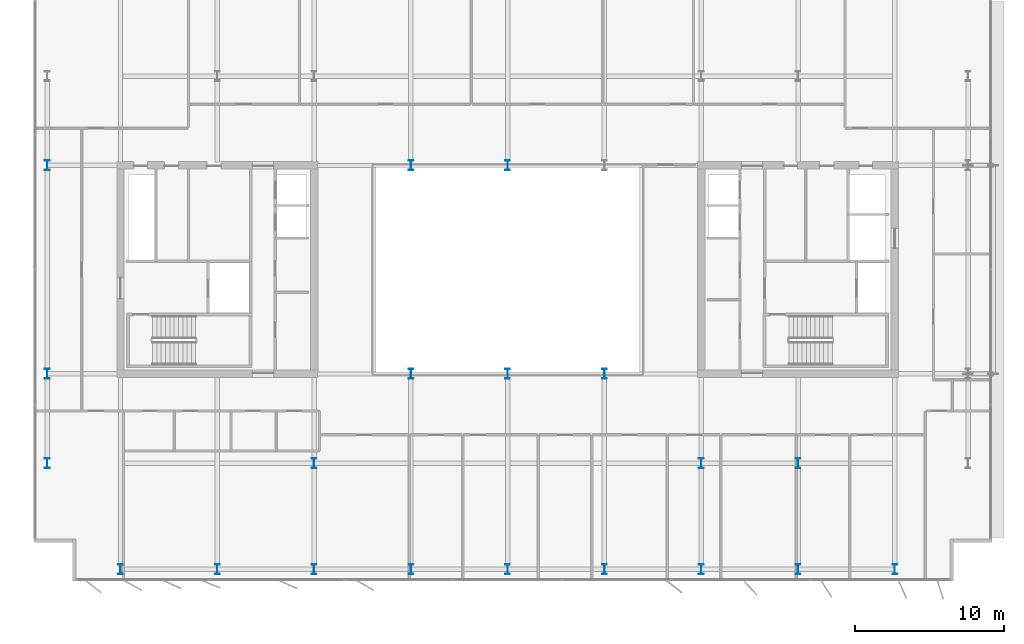
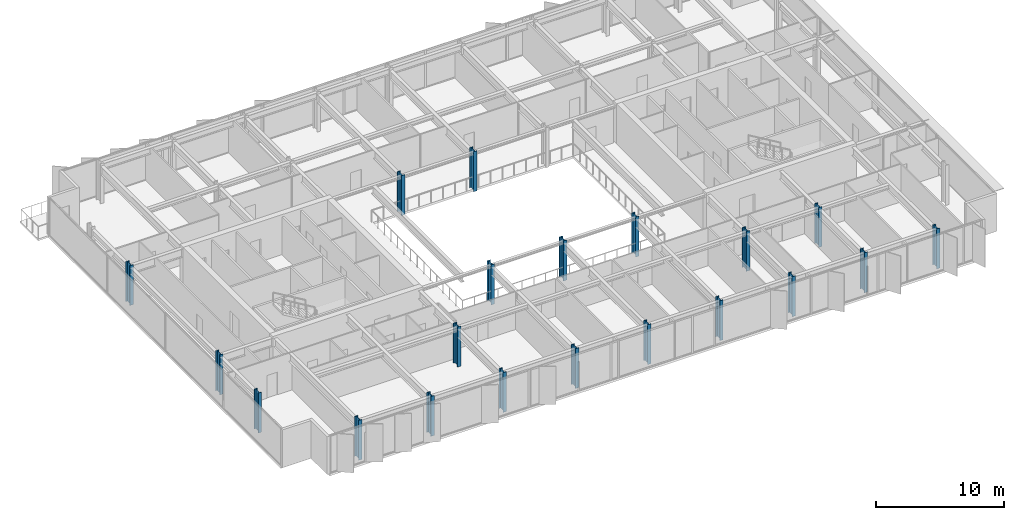
# One storey, part 1 of 20: 20 columns.
"""IFC4 building model written with IfcOpenShell, lengths in metres."""

from ifc_helpers import new_model, si_unit, direction, frame, origin, origin_2d, place, context, subcontext, project, spatial, i_section, extrude, material, material_profile, profile_set, type_object, element, save


model = new_model("IFC4")

# Units and contexts
model_context = context("Model", 3, precision=1e-05, world=origin(), true_north=direction((0.0, 1.0)))
body_context = subcontext(model_context, "Body", "Model", "MODEL_VIEW")
ifc_project = project(units=[si_unit("LENGTHUNIT", "METRE"), si_unit("AREAUNIT", "SQUARE_METRE"), si_unit("VOLUMEUNIT", "CUBIC_METRE"), si_unit("PLANEANGLEUNIT", "RADIAN"), si_unit("MASSUNIT", "GRAM", prefix="KILO")], contexts=[model_context])

# Site, building, storey
site_placement = place(None, origin())
site = spatial("IfcSite", under=ifc_project, at=site_placement, CompositionType="ELEMENT")
building_placement = place(site_placement, origin())
building = spatial("IfcBuilding", under=site, at=building_placement, Name="Putna Gate Headquarters", CompositionType="ELEMENT")
storey_placement = place(building_placement, frame((0.0, 0.0, 270.800048828125)))
storey = spatial("IfcBuildingStorey", under=building, at=storey_placement, Name="L68", CompositionType="ELEMENT", Elevation=270.800048828125)

# Columns
ifc_material = material(Name="Steel S460M", Category="steel")
ifc_material_profile_1 = material_profile(ifc_material, i_section(OverallWidth=0.304931640625, OverallDepth=0.66796875, WebThickness=0.02099609375, FlangeThickness=0.0400390625, at=origin_2d()), Name="Steel S460M")
ifc_profile_set_1 = profile_set([ifc_material_profile_1], Name="Steel S460M")
column_type_1 = type_object("IfcColumnType", Name="COL-STL-HEM650-EXT", PredefinedType="COLUMN", material=ifc_profile_set_1)
for number, where, z_axis, x_axis, name in (
    (1, (13.0, 5.8798828125, 0.0), (0.0, 0.0, 1.0), (1.0, 0.0, 0.0), "L68 Column CP-S13"),
    (2, (19.5, 5.8798828125, 0.0), (0.0, 0.0, 1.0), (1.0, 0.0, 0.0), "L68 Column CP-S19"),
    (3, (26.0, 5.8798828125, 0.0), (0.0, 0.0, 1.0), (1.0, 0.0, 0.0), "L68 Column CP-S26"),
    (4, (32.5, 5.8798828125, 0.0), (0.0, 0.0, 1.0), (1.0, 0.0, 0.0), "L68 Column CP-S32"),
    (5, (39.0, 5.8798828125, 0.0), (0.0, 0.0, 1.0), (1.0, 0.0, 0.0), "L68 Column CP-S39"),
    (6, (45.5, 5.8798828125, 0.0), (0.0, 0.0, 1.0), (1.0, 0.0, 0.0), "L68 Column CP-S45"),
    (7, (52.0, 5.8798828125, 0.0), (0.0, 0.0, 1.0), (1.0, 0.0, 0.0), "L68 Column CP-S52"),
    (8, (58.5, 5.8798828125, 0.0), (0.0, 0.0, 1.0), (1.0, 0.0, 0.0), "L68 Column CP-S58"),
    (9, (65.0, 5.8798828125, 0.0), (0.0, 0.0, 1.0), (1.0, 0.0, 0.0), "L68 Column CP-S65"),
    (10, (8.080078125, 13.0, 0.0), (0.0, 0.0, 1.0), (1.0, 0.0, 0.0), "L68 Column CP-W13"),
    (11, (8.080078125, 19.0, 0.0), (0.0, 0.0, 1.0), (1.0, 0.0, 0.0), "L68 Column CP-W19"),
    (12, (8.080078125, 33.0, 0.0), (0.0, 0.0, 1.0), (1.0, 0.0, 0.0), "L68 Column CP-W33"),
):
    element("IfcColumn", number, at=place(storey_placement, frame(where, z_axis=z_axis, x_axis=x_axis)), inside=storey, type_object=column_type_1, Name=name, PredefinedType="COLUMN", context=body_context, shape_type="SweptSolid", body=[
        extrude(i_section(OverallWidth=0.304931640625, OverallDepth=0.66796875, WebThickness=0.02099609375, FlangeThickness=0.0400390625, at=origin_2d()), origin(), (0.0, 0.0, 1.0), 3.800048828125),
    ])
ifc_material_profile_2 = material_profile(ifc_material, i_section(OverallWidth=0.304931640625, OverallDepth=0.66796875, WebThickness=0.02099609375, FlangeThickness=0.0400390625, at=origin_2d()), Name="Steel S460M")
ifc_profile_set_2 = profile_set([ifc_material_profile_2], Name="Steel S460M")
column_type_2 = type_object("IfcColumnType", Name="COL-STL-HEM650-INT", PredefinedType="COLUMN", material=ifc_profile_set_2)
for number, where, z_axis, x_axis, name in (
    (13, (58.5, 13.0, 0.0), (0.0, 0.0, 1.0), (1.0, 0.0, 0.0), "L68 Column CSI-ES"),
    (14, (32.5, 19.0, 0.0), (0.0, 0.0, 1.0), (1.0, 0.0, 0.0), "L68 Column CAI-S32"),
    (15, (32.5, 33.0, 0.0), (0.0, 0.0, 1.0), (1.0, 0.0, 0.0), "L68 Column CAI-N32"),
    (16, (39.0, 19.0, 0.0), (0.0, 0.0, 1.0), (1.0, 0.0, 0.0), "L68 Column CAI-S39"),
    (17, (39.0, 33.0, 0.0), (0.0, 0.0, 1.0), (1.0, 0.0, 0.0), "L68 Column CAI-N39"),
    (18, (45.5, 19.0, 0.0), (0.0, 0.0, 1.0), (1.0, 0.0, 0.0), "L68 Column CAI-S45"),
    (19, (26.0, 13.0, 0.0), (0.0, 0.0, 1.0), (1.0, 0.0, 0.0), "L68 Column CAP-WS"),
    (20, (52.0, 13.0, 0.0), (0.0, 0.0, 1.0), (1.0, 0.0, 0.0), "L68 Column CAP-ES"),
):
    element("IfcColumn", number, at=place(storey_placement, frame(where, z_axis=z_axis, x_axis=x_axis)), inside=storey, type_object=column_type_2, Name=name, PredefinedType="COLUMN", context=body_context, shape_type="SweptSolid", body=[
        extrude(i_section(OverallWidth=0.304931640625, OverallDepth=0.66796875, WebThickness=0.02099609375, FlangeThickness=0.0400390625, at=origin_2d()), origin(), (0.0, 0.0, 1.0), 3.800048828125),
    ])

save(model, "model.ifc")
